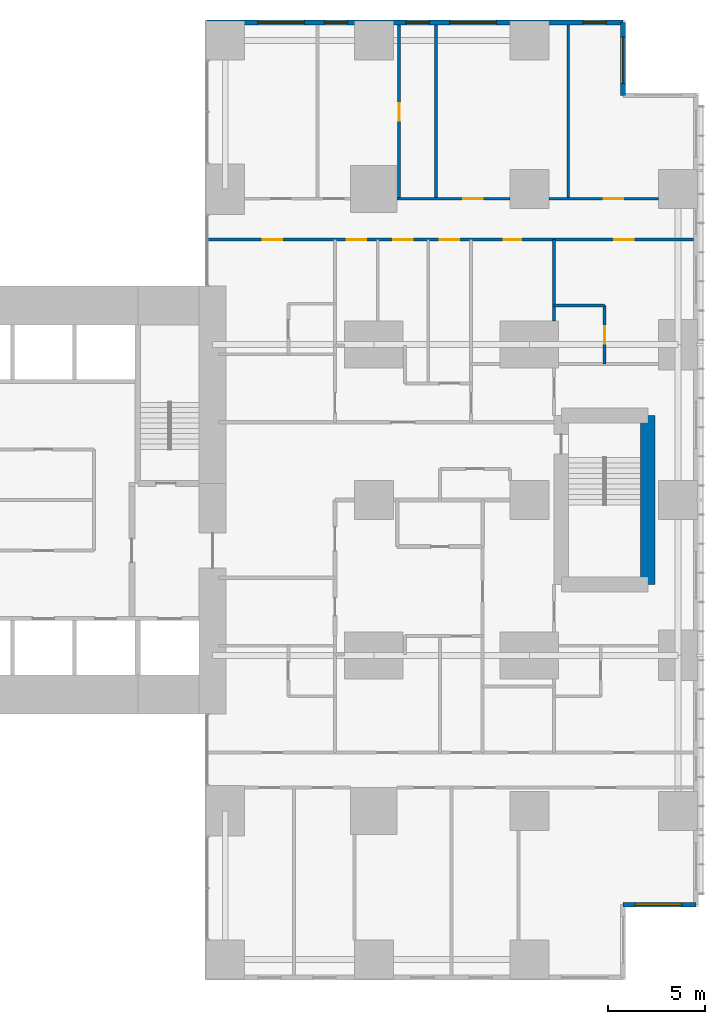
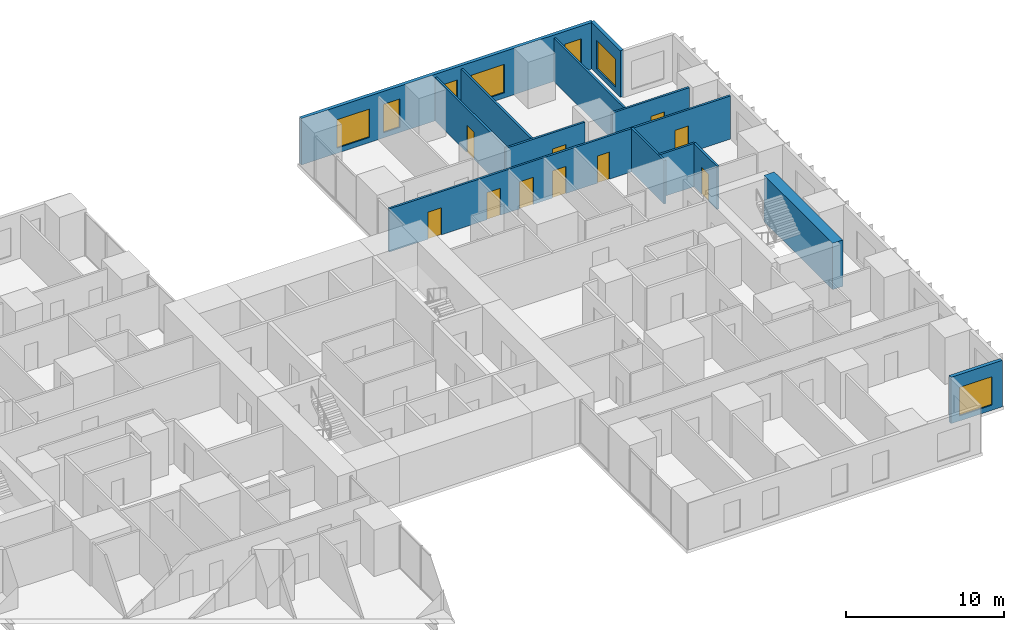
# One storey, part 18 of 20: 13 walls, 10 doors, 7 windows, 17 openings.
"""IFC4 building model written with IfcOpenShell, lengths in metres."""

from ifc_helpers import new_model, si_unit, direction, frame, frame_2d, origin, place, context, subcontext, project, spatial, rectangle, extrude, material, layer, layer_set, type_object, element, fill, save


model = new_model("IFC4")

# Units and contexts
model_context = context("Model", 3, precision=1e-05, world=origin(), true_north=direction((0.0, 1.0)))
body_context = subcontext(model_context, "Body", "Model", "MODEL_VIEW")
ifc_project = project(units=[si_unit("LENGTHUNIT", "METRE"), si_unit("AREAUNIT", "SQUARE_METRE"), si_unit("VOLUMEUNIT", "CUBIC_METRE"), si_unit("PLANEANGLEUNIT", "RADIAN"), si_unit("MASSUNIT", "GRAM", prefix="KILO")], contexts=[model_context])

# Site, building, storey
site_placement = place(None, origin())
site = spatial("IfcSite", under=ifc_project, at=site_placement, CompositionType="ELEMENT")
building_placement = place(site_placement, origin())
building = spatial("IfcBuilding", under=site, at=building_placement, Name="Cleftline Residences", CompositionType="ELEMENT")
storey_placement = place(building_placement, frame((0.0, 0.0, 117.800048828125)))
storey = spatial("IfcBuildingStorey", under=building, at=storey_placement, Name="L30", CompositionType="ELEMENT", Elevation=117.800048828125)

# Wall, opening, window
ifc_material_1 = material(Name="Rendered reinforced concrete blockwork", Category="masonry")
ifc_layer_1 = layer(ifc_material_1, 0.25)
ifc_layer_set_1 = layer_set([ifc_layer_1], Name="EXTERNAL WALL 250")
wall_type_1 = type_object("IfcWallType", Name="EXTERNAL WALL 250", PredefinedType="SOLIDWALL", material=ifc_layer_set_1)
wall_1_placement = place(storey_placement, frame((62.824951171875, 3.175048828125, 0.0), z_axis=(0.0, 0.0, 1.0), x_axis=(1.0, 0.0, 0.0)))
wall_1 = element("IfcWall", 1, at=wall_1_placement, inside=storey, type_object=wall_type_1, Name="External wall", PredefinedType="SOLIDWALL", context=body_context, shape_type="SweptSolid", body=[
    extrude(rectangle(XDim=3.75, YDim=0.25, at=frame_2d((1.875, 0.0))), origin(), (0.0, 0.0, 1.0), 3.599853515625),
])
opening_1_placement = place(wall_1_placement, frame((0.612548828125, 0.0, 0.39990234375)))
opening_1 = element("IfcOpeningElement", 2, at=opening_1_placement, cuts=wall_1, Name="Opening W12", PredefinedType="OPENING", context=body_context, shape_type="SweptSolid", body=[
    extrude(rectangle(XDim=2.39990234375, YDim=2.199951171875, at=frame_2d((1.199951171875, 1.10009765625))), frame((0.0, 0.135009765625, 0.0), z_axis=(0.0, -1.0, 0.0), x_axis=(1.0, 0.0, 0.0)), (0.0, 0.0, 1.0), 0.27001953125),
])
ifc_material_2 = material(Name="Aluminium frame, clear double glazing", Category="aluminium")
window_type_1 = type_object("IfcWindowType", Name="WINDOW 2400X2200", PartitioningType="DOUBLE_PANEL_VERTICAL", PredefinedType="WINDOW", material=ifc_material_2)
window_1_placement = place(opening_1_placement, origin())
window_1 = element("IfcWindow", 3, at=window_1_placement, inside=storey, type_object=window_type_1, Name="Window", OverallHeight=2.199951171875, OverallWidth=2.39990234375, PartitioningType="SINGLE_PANEL", PredefinedType="WINDOW", context=body_context, shape_type="SweptSolid", body=[
    extrude(rectangle(XDim=2.39990234375, YDim=2.199951171875, at=frame_2d((1.199951171875, 1.10009765625))), frame((0.0, 0.030029296875, 0.0), z_axis=(0.0, -1.0, 0.0), x_axis=(1.0, 0.0, 0.0)), (0.0, 0.0, 1.0), 0.06005859375),
])
fill(opening_1, window_1)

wall_2_placement = place(storey_placement, frame((62.824951171875, 44.824951171875, 0.0), z_axis=(0.0, 0.0, 1.0), x_axis=(0.0, 1.0, 0.0)))
wall_2 = element("IfcWall", 4, at=wall_2_placement, inside=storey, type_object=wall_type_1, Name="External wall", PredefinedType="SOLIDWALL", context=body_context, shape_type="SweptSolid", body=[
    extrude(rectangle(XDim=3.75, YDim=0.25, at=frame_2d((1.875, 0.0))), origin(), (0.0, 0.0, 1.0), 3.599853515625),
])
opening_2_placement = place(wall_2_placement, frame((0.612548828125, 0.0, 0.39990234375)))
opening_2 = element("IfcOpeningElement", 5, at=opening_2_placement, cuts=wall_2, Name="Opening W12", PredefinedType="OPENING", context=body_context, shape_type="SweptSolid", body=[
    extrude(rectangle(XDim=2.39990234375, YDim=2.199951171875, at=frame_2d((1.199951171875, 1.10009765625))), frame((0.0, 0.135009765625, 0.0), z_axis=(0.0, -1.0, 0.0), x_axis=(1.0, 0.0, 0.0)), (0.0, 0.0, 1.0), 0.27001953125),
])
window_2_placement = place(opening_2_placement, origin())
window_2 = element("IfcWindow", 6, at=window_2_placement, inside=storey, type_object=window_type_1, Name="Window", OverallHeight=2.199951171875, OverallWidth=2.39990234375, PartitioningType="SINGLE_PANEL", PredefinedType="WINDOW", context=body_context, shape_type="SweptSolid", body=[
    extrude(rectangle(XDim=2.39990234375, YDim=2.199951171875, at=frame_2d((1.199951171875, 1.10009765625))), frame((0.0, 0.030029296875, 0.0), z_axis=(0.0, -1.0, 0.0), x_axis=(1.0, 0.0, 0.0)), (0.0, 0.0, 1.0), 0.06005859375),
])
fill(opening_2, window_2)

# Wall, openings, windows
wall_3_placement = place(storey_placement, frame((62.824951171875, 48.574951171875, 0.0), z_axis=(0.0, 0.0, 1.0), x_axis=(-1.0, 0.0, 0.0)))
wall_3 = element("IfcWall", 7, at=wall_3_placement, inside=storey, type_object=wall_type_1, Name="External wall", PredefinedType="SOLIDWALL", context=body_context, shape_type="SweptSolid", body=[
    extrude(rectangle(XDim=21.39990234375, YDim=0.25, at=frame_2d((10.699951171875, 0.0))), origin(), (0.0, 0.0, 1.0), 3.599853515625),
])
opening_3_placement = place(wall_3_placement, frame((0.875, 0.0, 0.39990234375)))
opening_3 = element("IfcOpeningElement", 8, at=opening_3_placement, cuts=wall_3, Name="Opening W11", PredefinedType="OPENING", context=body_context, shape_type="SweptSolid", body=[
    extrude(rectangle(XDim=1.199951171875, YDim=2.199951171875, at=frame_2d((0.60009765625, 1.10009765625))), frame((0.0, 0.135009765625, 0.0), z_axis=(0.0, -1.0, 0.0), x_axis=(1.0, 0.0, 0.0)), (0.0, 0.0, 1.0), 0.27001953125),
])
opening_4_placement = place(wall_3_placement, frame((6.52490234375, 0.0, 0.39990234375)))
opening_4 = element("IfcOpeningElement", 9, at=opening_4_placement, cuts=wall_3, Name="Opening W12", PredefinedType="OPENING", context=body_context, shape_type="SweptSolid", body=[
    extrude(rectangle(XDim=2.39990234375, YDim=2.199951171875, at=frame_2d((1.199951171875, 1.10009765625))), frame((0.0, 0.135009765625, 0.0), z_axis=(0.0, -1.0, 0.0), x_axis=(1.0, 0.0, 0.0)), (0.0, 0.0, 1.0), 0.27001953125),
])
opening_5_placement = place(wall_3_placement, frame((9.97509765625, 0.0, 0.39990234375)))
opening_5 = element("IfcOpeningElement", 10, at=opening_5_placement, cuts=wall_3, Name="Opening W11", PredefinedType="OPENING", context=body_context, shape_type="SweptSolid", body=[
    extrude(rectangle(XDim=1.199951171875, YDim=2.199951171875, at=frame_2d((0.60009765625, 1.10009765625))), frame((0.0, 0.135009765625, 0.0), z_axis=(0.0, -1.0, 0.0), x_axis=(1.0, 0.0, 0.0)), (0.0, 0.0, 1.0), 0.27001953125),
])
opening_6_placement = place(wall_3_placement, frame((14.175048828125, 0.0, 0.39990234375)))
opening_6 = element("IfcOpeningElement", 11, at=opening_6_placement, cuts=wall_3, Name="Opening W11", PredefinedType="OPENING", context=body_context, shape_type="SweptSolid", body=[
    extrude(rectangle(XDim=1.199951171875, YDim=2.199951171875, at=frame_2d((0.60009765625, 1.10009765625))), frame((0.0, 0.135009765625, 0.0), z_axis=(0.0, -1.0, 0.0), x_axis=(1.0, 0.0, 0.0)), (0.0, 0.0, 1.0), 0.27001953125),
])
opening_7_placement = place(wall_3_placement, frame((16.39990234375, 0.0, 0.39990234375)))
opening_7 = element("IfcOpeningElement", 12, at=opening_7_placement, cuts=wall_3, Name="Opening W12", PredefinedType="OPENING", context=body_context, shape_type="SweptSolid", body=[
    extrude(rectangle(XDim=2.39990234375, YDim=2.199951171875, at=frame_2d((1.199951171875, 1.10009765625))), frame((0.0, 0.135009765625, 0.0), z_axis=(0.0, -1.0, 0.0), x_axis=(1.0, 0.0, 0.0)), (0.0, 0.0, 1.0), 0.27001953125),
])
ifc_material_3 = material(Name="Aluminium frame, clear double glazing", Category="aluminium")
window_type_2 = type_object("IfcWindowType", Name="WINDOW 1200X2200", PartitioningType="DOUBLE_PANEL_VERTICAL", PredefinedType="WINDOW", material=ifc_material_3)
window_3_placement = place(opening_3_placement, origin())
window_3 = element("IfcWindow", 13, at=window_3_placement, inside=storey, type_object=window_type_2, Name="Window", OverallHeight=2.199951171875, OverallWidth=1.199951171875, PartitioningType="SINGLE_PANEL", PredefinedType="WINDOW", context=body_context, shape_type="SweptSolid", body=[
    extrude(rectangle(XDim=1.199951171875, YDim=2.199951171875, at=frame_2d((0.60009765625, 1.10009765625))), frame((0.0, 0.030029296875, 0.0), z_axis=(0.0, -1.0, 0.0), x_axis=(1.0, 0.0, 0.0)), (0.0, 0.0, 1.0), 0.06005859375),
])
fill(opening_3, window_3)
window_4_placement = place(opening_5_placement, origin())
window_4 = element("IfcWindow", 14, at=window_4_placement, inside=storey, type_object=window_type_2, Name="Window", OverallHeight=2.199951171875, OverallWidth=1.199951171875, PartitioningType="SINGLE_PANEL", PredefinedType="WINDOW", context=body_context, shape_type="SweptSolid", body=[
    extrude(rectangle(XDim=1.199951171875, YDim=2.199951171875, at=frame_2d((0.60009765625, 1.10009765625))), frame((0.0, 0.030029296875, 0.0), z_axis=(0.0, -1.0, 0.0), x_axis=(1.0, 0.0, 0.0)), (0.0, 0.0, 1.0), 0.06005859375),
])
fill(opening_5, window_4)
window_5_placement = place(opening_6_placement, origin())
window_5 = element("IfcWindow", 15, at=window_5_placement, inside=storey, type_object=window_type_2, Name="Window", OverallHeight=2.199951171875, OverallWidth=1.199951171875, PartitioningType="SINGLE_PANEL", PredefinedType="WINDOW", context=body_context, shape_type="SweptSolid", body=[
    extrude(rectangle(XDim=1.199951171875, YDim=2.199951171875, at=frame_2d((0.60009765625, 1.10009765625))), frame((0.0, 0.030029296875, 0.0), z_axis=(0.0, -1.0, 0.0), x_axis=(1.0, 0.0, 0.0)), (0.0, 0.0, 1.0), 0.06005859375),
])
fill(opening_6, window_5)
window_6_placement = place(opening_4_placement, origin())
window_6 = element("IfcWindow", 16, at=window_6_placement, inside=storey, type_object=window_type_1, Name="Window", OverallHeight=2.199951171875, OverallWidth=2.39990234375, PartitioningType="SINGLE_PANEL", PredefinedType="WINDOW", context=body_context, shape_type="SweptSolid", body=[
    extrude(rectangle(XDim=2.39990234375, YDim=2.199951171875, at=frame_2d((1.199951171875, 1.10009765625))), frame((0.0, 0.030029296875, 0.0), z_axis=(0.0, -1.0, 0.0), x_axis=(1.0, 0.0, 0.0)), (0.0, 0.0, 1.0), 0.06005859375),
])
fill(opening_4, window_6)
window_7_placement = place(opening_7_placement, origin())
window_7 = element("IfcWindow", 17, at=window_7_placement, inside=storey, type_object=window_type_1, Name="Window", OverallHeight=2.199951171875, OverallWidth=2.39990234375, PartitioningType="SINGLE_PANEL", PredefinedType="WINDOW", context=body_context, shape_type="SweptSolid", body=[
    extrude(rectangle(XDim=2.39990234375, YDim=2.199951171875, at=frame_2d((1.199951171875, 1.10009765625))), frame((0.0, 0.030029296875, 0.0), z_axis=(0.0, -1.0, 0.0), x_axis=(1.0, 0.0, 0.0)), (0.0, 0.0, 1.0), 0.06005859375),
])
fill(opening_7, window_7)

# Wall
ifc_material_4 = material(Name="Gypsum board on steel studs", Category="steel")
ifc_layer_2 = layer(ifc_material_4, 0.14990234375)
ifc_layer_set_2 = layer_set([ifc_layer_2], Name="PARTITION 150")
wall_type_2 = type_object("IfcWallType", Name="PARTITION 150", PredefinedType="PARTITIONING", material=ifc_layer_set_2)
wall_4_placement = place(storey_placement, frame((59.27490234375, 34.0, 0.0), z_axis=(0.0, 0.0, 1.0), x_axis=(1.0, 0.0, 0.0)))
element("IfcWall", 18, at=wall_4_placement, inside=storey, type_object=wall_type_2, Name="Partition", PredefinedType="PARTITIONING", context=body_context, shape_type="SweptSolid", body=[
    extrude(rectangle(XDim=2.60009765625, YDim=0.14990234375, at=frame_2d((1.300048828125, 0.0))), origin(), (0.0, 0.0, 1.0), 3.349853515625),
])

# Wall, openings, doors
wall_5_placement = place(storey_placement, frame((41.43896484375, 37.39990234375, 0.0), z_axis=(0.0, 0.0, 1.0), x_axis=(1.0, 0.0, 0.0)))
wall_5 = element("IfcWall", 19, at=wall_5_placement, inside=storey, type_object=wall_type_2, Name="Partition", PredefinedType="PARTITIONING", context=body_context, shape_type="SweptSolid", body=[
    extrude(rectangle(XDim=25.010986328125, YDim=0.14990234375, at=frame_2d((12.50537109375, 0.0))), origin(), (0.0, 0.0, 1.0), 3.349853515625),
])
opening_8_placement = place(wall_5_placement, frame((11.9609375, 0.0, 0.0)))
opening_8 = element("IfcOpeningElement", 20, at=opening_8_placement, cuts=wall_5, Name="Opening D2F30", PredefinedType="OPENING", context=body_context, shape_type="SweptSolid", body=[
    extrude(rectangle(XDim=1.0, YDim=2.10009765625, at=frame_2d((0.5, 1.050048828125))), frame((0.0, 0.0849609375, 0.0), z_axis=(0.0, -1.0, 0.0), x_axis=(1.0, 0.0, 0.0)), (0.0, 0.0, 1.0), 0.169921875),
])
opening_9_placement = place(wall_5_placement, frame((20.923583984375, 0.0, 0.0)))
opening_9 = element("IfcOpeningElement", 21, at=opening_9_placement, cuts=wall_5, Name="Opening D2F30", PredefinedType="OPENING", context=body_context, shape_type="SweptSolid", body=[
    extrude(rectangle(XDim=1.0, YDim=2.10009765625, at=frame_2d((0.5, 1.050048828125))), frame((0.0, 0.0849609375, 0.0), z_axis=(0.0, -1.0, 0.0), x_axis=(1.0, 0.0, 0.0)), (0.0, 0.0, 1.0), 0.169921875),
])
opening_10_placement = place(wall_5_placement, frame((15.24853515625, 0.0, 0.0)))
opening_10 = element("IfcOpeningElement", 22, at=opening_10_placement, cuts=wall_5, Name="Opening D1F30", PredefinedType="OPENING", context=body_context, shape_type="SweptSolid", body=[
    extrude(rectangle(XDim=0.89990234375, YDim=2.10009765625, at=frame_2d((0.449951171875, 1.050048828125))), frame((0.0, 0.0849609375, 0.0), z_axis=(0.0, -1.0, 0.0), x_axis=(1.0, 0.0, 0.0)), (0.0, 0.0, 1.0), 0.169921875),
])
opening_11_placement = place(wall_5_placement, frame((9.56103515625, 0.0, 0.0)))
opening_11 = element("IfcOpeningElement", 23, at=opening_11_placement, cuts=wall_5, Name="Opening D2F30", PredefinedType="OPENING", context=body_context, shape_type="SweptSolid", body=[
    extrude(rectangle(XDim=1.0, YDim=2.10009765625, at=frame_2d((0.5, 1.050048828125))), frame((0.0, 0.0849609375, 0.0), z_axis=(0.0, -1.0, 0.0), x_axis=(1.0, 0.0, 0.0)), (0.0, 0.0, 1.0), 0.169921875),
])
opening_12_placement = place(wall_5_placement, frame((7.160888671875, 0.0, 0.0)))
opening_12 = element("IfcOpeningElement", 24, at=opening_12_placement, cuts=wall_5, Name="Opening D2F30", PredefinedType="OPENING", context=body_context, shape_type="SweptSolid", body=[
    extrude(rectangle(XDim=1.0, YDim=2.10009765625, at=frame_2d((0.5, 1.050048828125))), frame((0.0, 0.0849609375, 0.0), z_axis=(0.0, -1.0, 0.0), x_axis=(1.0, 0.0, 0.0)), (0.0, 0.0, 1.0), 0.169921875),
])
opening_13_placement = place(wall_5_placement, frame((2.8359375, 0.0, 0.0)))
opening_13 = element("IfcOpeningElement", 25, at=opening_13_placement, cuts=wall_5, Name="Opening D2F30", PredefinedType="OPENING", context=body_context, shape_type="SweptSolid", body=[
    extrude(rectangle(XDim=1.0, YDim=2.10009765625, at=frame_2d((0.5, 1.050048828125))), frame((0.0, 0.0849609375, 0.0), z_axis=(0.0, -1.0, 0.0), x_axis=(1.0, 0.0, 0.0)), (0.0, 0.0, 1.0), 0.169921875),
])
ifc_material_5 = material(Name="Timber veneer on solid core", Category="wood")
door_type_1 = type_object("IfcDoorType", Name="DOOR 1000X2100 EI 30", OperationType="SINGLE_SWING_LEFT", PredefinedType="DOOR", material=ifc_material_5)
door_1_placement = place(opening_8_placement, origin())
door_1 = element("IfcDoor", 26, at=door_1_placement, inside=storey, type_object=door_type_1, Name="Door to residence hall (gallery)", OperationType="SINGLE_SWING_RIGHT", OverallHeight=2.10009765625, OverallWidth=1.0, PredefinedType="DOOR", context=body_context, shape_type="SweptSolid", body=[
    extrude(rectangle(XDim=1.0, YDim=2.10009765625, at=frame_2d((0.5, 1.050048828125))), frame((0.0, 0.02490234375, 0.0), z_axis=(0.0, -1.0, 0.0), x_axis=(1.0, 0.0, 0.0)), (0.0, 0.0, 1.0), 0.050048828125),
])
fill(opening_8, door_1)
door_2_placement = place(opening_9_placement, origin())
door_2 = element("IfcDoor", 27, at=door_2_placement, inside=storey, type_object=door_type_1, Name="Door to master bedroom", OperationType="SINGLE_SWING_LEFT", OverallHeight=2.10009765625, OverallWidth=1.0, PredefinedType="DOOR", context=body_context, shape_type="SweptSolid", body=[
    extrude(rectangle(XDim=1.0, YDim=2.10009765625, at=frame_2d((0.5, 1.050048828125))), frame((0.0, 0.02490234375, 0.0), z_axis=(0.0, -1.0, 0.0), x_axis=(1.0, 0.0, 0.0)), (0.0, 0.0, 1.0), 0.050048828125),
])
fill(opening_9, door_2)
door_3_placement = place(opening_11_placement, origin())
door_3 = element("IfcDoor", 28, at=door_3_placement, inside=storey, type_object=door_type_1, Name="Door to dining room", OperationType="SINGLE_SWING_RIGHT", OverallHeight=2.10009765625, OverallWidth=1.0, PredefinedType="DOOR", context=body_context, shape_type="SweptSolid", body=[
    extrude(rectangle(XDim=1.0, YDim=2.10009765625, at=frame_2d((0.5, 1.050048828125))), frame((0.0, 0.02490234375, 0.0), z_axis=(0.0, -1.0, 0.0), x_axis=(1.0, 0.0, 0.0)), (0.0, 0.0, 1.0), 0.050048828125),
])
fill(opening_11, door_3)
door_4_placement = place(opening_12_placement, origin())
door_4 = element("IfcDoor", 29, at=door_4_placement, inside=storey, type_object=door_type_1, Name="Door to show kitchen", OperationType="SINGLE_SWING_RIGHT", OverallHeight=2.10009765625, OverallWidth=1.0, PredefinedType="DOOR", context=body_context, shape_type="SweptSolid", body=[
    extrude(rectangle(XDim=1.0, YDim=2.10009765625, at=frame_2d((0.5, 1.050048828125))), frame((0.0, 0.02490234375, 0.0), z_axis=(0.0, -1.0, 0.0), x_axis=(1.0, 0.0, 0.0)), (0.0, 0.0, 1.0), 0.050048828125),
])
fill(opening_12, door_4)
door_5_placement = place(opening_13_placement, origin())
door_5 = element("IfcDoor", 30, at=door_5_placement, inside=storey, type_object=door_type_1, Name="Door to bedroom 3", OperationType="SINGLE_SWING_RIGHT", OverallHeight=2.10009765625, OverallWidth=1.0, PredefinedType="DOOR", context=body_context, shape_type="SweptSolid", body=[
    extrude(rectangle(XDim=1.0, YDim=2.10009765625, at=frame_2d((0.5, 1.050048828125))), frame((0.0, 0.02490234375, 0.0), z_axis=(0.0, -1.0, 0.0), x_axis=(1.0, 0.0, 0.0)), (0.0, 0.0, 1.0), 0.050048828125),
])
fill(opening_13, door_5)
ifc_material_6 = material(Name="Timber veneer on solid core", Category="wood")
door_type_2 = type_object("IfcDoorType", Name="DOOR 900X2100 EI 30", OperationType="SINGLE_SWING_LEFT", PredefinedType="DOOR", material=ifc_material_6)
door_6_placement = place(opening_10_placement, origin())
door_6 = element("IfcDoor", 31, at=door_6_placement, inside=storey, type_object=door_type_2, Name="Door to guest bathroom", OperationType="SINGLE_SWING_LEFT", OverallHeight=2.10009765625, OverallWidth=0.89990234375, PredefinedType="DOOR", context=body_context, shape_type="SweptSolid", body=[
    extrude(rectangle(XDim=0.89990234375, YDim=2.10009765625, at=frame_2d((0.449951171875, 1.050048828125))), frame((0.0, 0.02490234375, 0.0), z_axis=(0.0, -1.0, 0.0), x_axis=(1.0, 0.0, 0.0)), (0.0, 0.0, 1.0), 0.050048828125),
])
fill(opening_10, door_6)

# Wall, opening, door
wall_6_placement = place(storey_placement, frame((51.199951171875, 39.5, 0.0), z_axis=(0.0, 0.0, 1.0), x_axis=(1.0, 0.0, 0.0)))
wall_6 = element("IfcWall", 32, at=wall_6_placement, inside=storey, type_object=wall_type_2, Name="Partition", PredefinedType="PARTITIONING", context=body_context, shape_type="SweptSolid", body=[
    extrude(rectangle(XDim=5.800048828125, YDim=0.14990234375, at=frame_2d((2.89990234375, 0.0))), origin(), (0.0, 0.0, 1.0), 3.349853515625),
])
opening_14_placement = place(wall_6_placement, frame((3.39990234375, 0.0, 0.0)))
opening_14 = element("IfcOpeningElement", 33, at=opening_14_placement, cuts=wall_6, Name="Opening D2", PredefinedType="OPENING", context=body_context, shape_type="SweptSolid", body=[
    extrude(rectangle(XDim=1.0, YDim=2.10009765625, at=frame_2d((0.5, 1.050048828125))), frame((0.0, 0.0849609375, 0.0), z_axis=(0.0, -1.0, 0.0), x_axis=(1.0, 0.0, 0.0)), (0.0, 0.0, 1.0), 0.169921875),
])
ifc_material_7 = material(Name="Timber veneer on solid core", Category="wood")
door_type_3 = type_object("IfcDoorType", Name="DOOR 1000X2100", OperationType="SINGLE_SWING_LEFT", PredefinedType="DOOR", material=ifc_material_7)
door_7_placement = place(opening_14_placement, origin())
door_7 = element("IfcDoor", 34, at=door_7_placement, inside=storey, type_object=door_type_3, Name="Door to living room", OperationType="SINGLE_SWING_LEFT", OverallHeight=2.10009765625, OverallWidth=1.0, PredefinedType="DOOR", context=body_context, shape_type="SweptSolid", body=[
    extrude(rectangle(XDim=1.0, YDim=2.10009765625, at=frame_2d((0.5, 1.050048828125))), frame((0.0, 0.02490234375, 0.0), z_axis=(0.0, -1.0, 0.0), x_axis=(1.0, 0.0, 0.0)), (0.0, 0.0, 1.0), 0.050048828125),
])
fill(opening_14, door_7)

wall_7_placement = place(storey_placement, frame((59.0, 39.5, 0.0), z_axis=(0.0, 0.0, 1.0), x_axis=(1.0, 0.0, 0.0)))
wall_7 = element("IfcWall", 35, at=wall_7_placement, inside=storey, type_object=wall_type_2, Name="Partition", PredefinedType="PARTITIONING", context=body_context, shape_type="SweptSolid", body=[
    extrude(rectangle(XDim=5.64990234375, YDim=0.14990234375, at=frame_2d((2.824951171875, 0.0))), origin(), (0.0, 0.0, 1.0), 3.349853515625),
])
opening_15_placement = place(wall_7_placement, frame((2.824951171875, 0.0, 0.0)))
opening_15 = element("IfcOpeningElement", 36, at=opening_15_placement, cuts=wall_7, Name="Opening D2", PredefinedType="OPENING", context=body_context, shape_type="SweptSolid", body=[
    extrude(rectangle(XDim=1.0, YDim=2.10009765625, at=frame_2d((0.5, 1.050048828125))), frame((0.0, 0.0849609375, 0.0), z_axis=(0.0, -1.0, 0.0), x_axis=(1.0, 0.0, 0.0)), (0.0, 0.0, 1.0), 0.169921875),
])
door_8_placement = place(opening_15_placement, origin())
door_8 = element("IfcDoor", 37, at=door_8_placement, inside=storey, type_object=door_type_3, Name="Door to winter garden", OperationType="SINGLE_SWING_LEFT", OverallHeight=2.10009765625, OverallWidth=1.0, PredefinedType="DOOR", context=body_context, shape_type="SweptSolid", body=[
    extrude(rectangle(XDim=1.0, YDim=2.10009765625, at=frame_2d((0.5, 1.050048828125))), frame((0.0, 0.02490234375, 0.0), z_axis=(0.0, -1.0, 0.0), x_axis=(1.0, 0.0, 0.0)), (0.0, 0.0, 1.0), 0.050048828125),
])
fill(opening_15, door_8)

wall_8_placement = place(storey_placement, frame((51.300048828125, 39.5, 0.0), z_axis=(0.0, 0.0, 1.0), x_axis=(0.0, 1.0, 0.0)))
wall_8 = element("IfcWall", 38, at=wall_8_placement, inside=storey, type_object=wall_type_2, Name="Partition", PredefinedType="PARTITIONING", context=body_context, shape_type="SweptSolid", body=[
    extrude(rectangle(XDim=8.949951171875, YDim=0.14990234375, at=frame_2d((4.47509765625, 0.0))), origin(), (0.0, 0.0, 1.0), 3.349853515625),
])
opening_16_placement = place(wall_8_placement, frame((4.02490234375, 0.0, 0.0)))
opening_16 = element("IfcOpeningElement", 39, at=opening_16_placement, cuts=wall_8, Name="Opening D1", PredefinedType="OPENING", context=body_context, shape_type="SweptSolid", body=[
    extrude(rectangle(XDim=0.89990234375, YDim=2.10009765625, at=frame_2d((0.449951171875, 1.050048828125))), frame((0.0, 0.0849609375, 0.0), z_axis=(0.0, -1.0, 0.0), x_axis=(1.0, 0.0, 0.0)), (0.0, 0.0, 1.0), 0.169921875),
])
ifc_material_8 = material(Name="Timber veneer on solid core", Category="wood")
door_type_4 = type_object("IfcDoorType", Name="DOOR 900X2100", OperationType="SINGLE_SWING_LEFT", PredefinedType="DOOR", material=ifc_material_8)
door_9_placement = place(opening_16_placement, origin())
door_9 = element("IfcDoor", 40, at=door_9_placement, inside=storey, type_object=door_type_4, Name="Door to en-suite bathroom 2", OperationType="SINGLE_SWING_LEFT", OverallHeight=2.10009765625, OverallWidth=0.89990234375, PredefinedType="DOOR", context=body_context, shape_type="SweptSolid", body=[
    extrude(rectangle(XDim=0.89990234375, YDim=2.10009765625, at=frame_2d((0.449951171875, 1.050048828125))), frame((0.0, 0.02490234375, 0.0), z_axis=(0.0, -1.0, 0.0), x_axis=(1.0, 0.0, 0.0)), (0.0, 0.0, 1.0), 0.050048828125),
])
fill(opening_16, door_9)

# Walls
wall_9_placement = place(storey_placement, frame((53.199951171875, 39.5, 0.0), z_axis=(0.0, 0.0, 1.0), x_axis=(0.0, 1.0, 0.0)))
element("IfcWall", 41, at=wall_9_placement, inside=storey, type_object=wall_type_2, Name="Partition", PredefinedType="PARTITIONING", context=body_context, shape_type="SweptSolid", body=[
    extrude(rectangle(XDim=8.949951171875, YDim=0.14990234375, at=frame_2d((4.47509765625, 0.0))), origin(), (0.0, 0.0, 1.0), 3.349853515625),
])
wall_10_placement = place(storey_placement, frame((59.27490234375, 33.199951171875, 0.0), z_axis=(0.0, 0.0, 1.0), x_axis=(0.0, 1.0, 0.0)))
element("IfcWall", 42, at=wall_10_placement, inside=storey, type_object=wall_type_2, Name="Partition", PredefinedType="PARTITIONING", context=body_context, shape_type="SweptSolid", body=[
    extrude(rectangle(XDim=4.199951171875, YDim=0.14990234375, at=frame_2d((2.10009765625, 0.0))), origin(), (0.0, 0.0, 1.0), 3.349853515625),
])
wall_11_placement = place(storey_placement, frame((60.0, 39.5, 0.0), z_axis=(0.0, 0.0, 1.0), x_axis=(0.0, 1.0, 0.0)))
element("IfcWall", 43, at=wall_11_placement, inside=storey, type_object=wall_type_2, Name="Partition", PredefinedType="PARTITIONING", context=body_context, shape_type="SweptSolid", body=[
    extrude(rectangle(XDim=8.949951171875, YDim=0.14990234375, at=frame_2d((4.47509765625, 0.0))), origin(), (0.0, 0.0, 1.0), 3.349853515625),
])

# Wall, opening, door
wall_12_placement = place(storey_placement, frame((61.875, 31.0, 0.0), z_axis=(0.0, 0.0, 1.0), x_axis=(0.0, 1.0, 0.0)))
wall_12 = element("IfcWall", 44, at=wall_12_placement, inside=storey, type_object=wall_type_2, Name="Partition", PredefinedType="PARTITIONING", context=body_context, shape_type="SweptSolid", body=[
    extrude(rectangle(XDim=3.0, YDim=0.14990234375, at=frame_2d((1.5, 0.0))), origin(), (0.0, 0.0, 1.0), 3.349853515625),
])
opening_17_placement = place(wall_12_placement, frame((1.050048828125, 0.0, 0.0)))
opening_17 = element("IfcOpeningElement", 45, at=opening_17_placement, cuts=wall_12, Name="Opening D1", PredefinedType="OPENING", context=body_context, shape_type="SweptSolid", body=[
    extrude(rectangle(XDim=0.89990234375, YDim=2.10009765625, at=frame_2d((0.449951171875, 1.050048828125))), frame((0.0, 0.0849609375, 0.0), z_axis=(0.0, -1.0, 0.0), x_axis=(1.0, 0.0, 0.0)), (0.0, 0.0, 1.0), 0.169921875),
])
door_10_placement = place(opening_17_placement, origin())
door_10 = element("IfcDoor", 46, at=door_10_placement, inside=storey, type_object=door_type_4, Name="Door to master bathroom", OperationType="SINGLE_SWING_LEFT", OverallHeight=2.10009765625, OverallWidth=0.89990234375, PredefinedType="DOOR", context=body_context, shape_type="SweptSolid", body=[
    extrude(rectangle(XDim=0.89990234375, YDim=2.10009765625, at=frame_2d((0.449951171875, 1.050048828125))), frame((0.0, 0.02490234375, 0.0), z_axis=(0.0, -1.0, 0.0), x_axis=(1.0, 0.0, 0.0)), (0.0, 0.0, 1.0), 0.050048828125),
])
fill(opening_17, door_10)

# Wall
ifc_material_9 = material(Name="Concrete B70", Category="concrete")
ifc_layer_3 = layer(ifc_material_9, 0.75)
ifc_layer_set_3 = layer_set([ifc_layer_3], Name="SHEAR WALL 750")
wall_type_3 = type_object("IfcWallType", Name="SHEAR WALL 750", PredefinedType="SHEAR", material=ifc_layer_set_3)
wall_13_placement = place(storey_placement, frame((64.10009765625, 19.64990234375, 0.0), z_axis=(0.0, 0.0, 1.0), x_axis=(0.0, 1.0, 0.0)))
element("IfcWall", 47, at=wall_13_placement, inside=storey, type_object=wall_type_3, Name="Wing shear wall", PredefinedType="SHEAR", context=body_context, shape_type="SweptSolid", body=[
    extrude(rectangle(XDim=8.7001953125, YDim=0.75, at=frame_2d((4.35009765625, 0.0))), origin(), (0.0, 0.0, 1.0), 3.599853515625),
])

save(model, "model.ifc")
